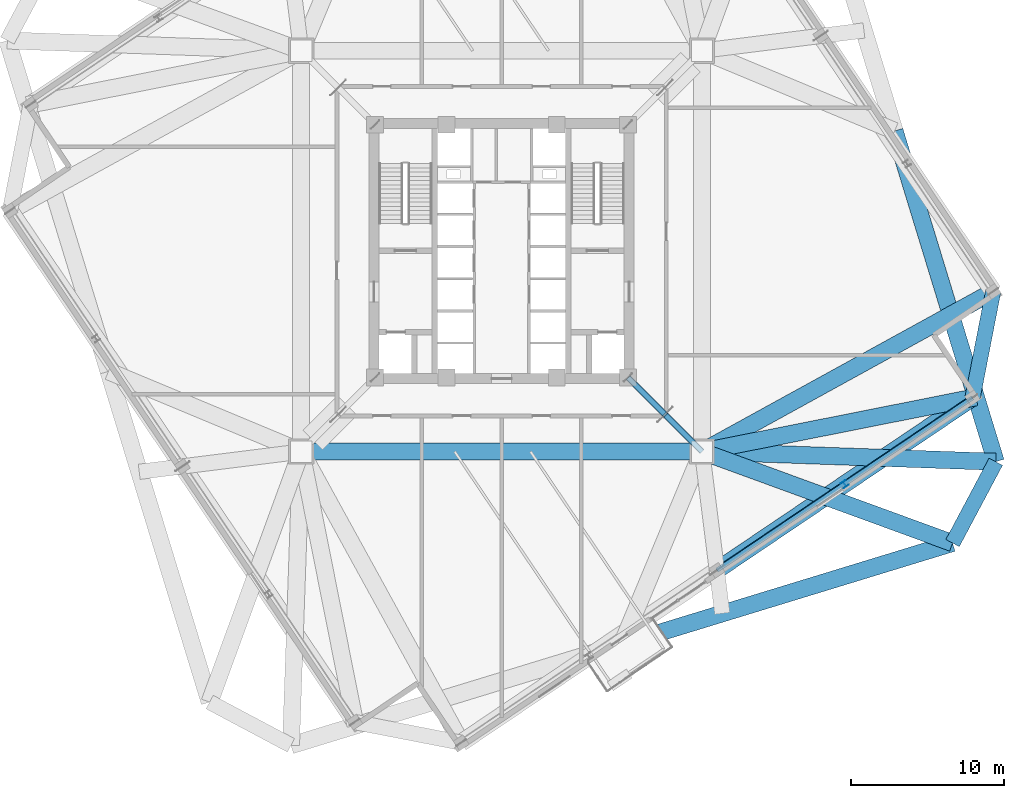
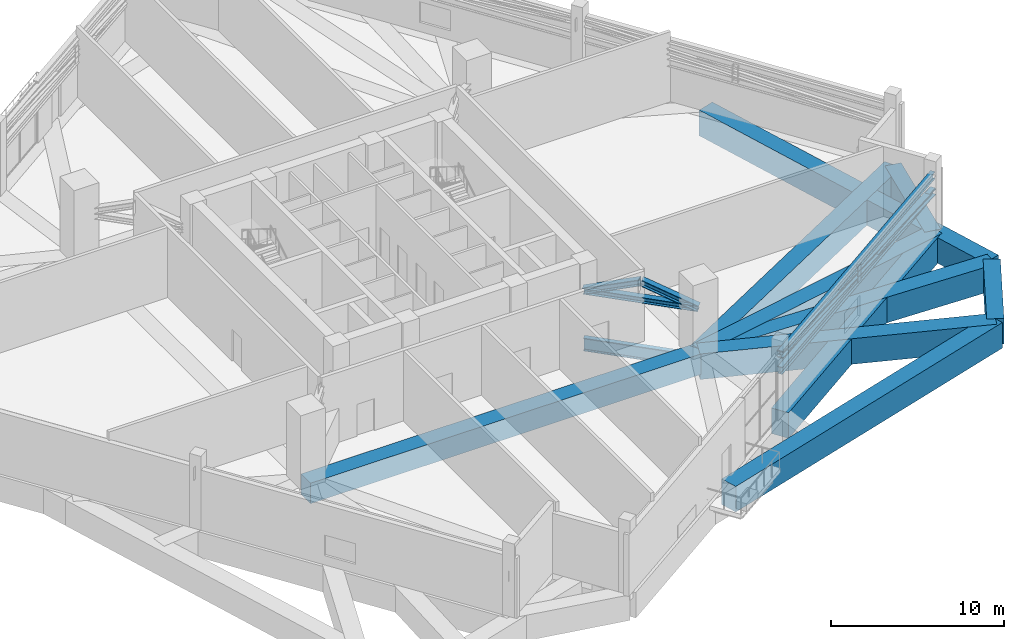
# One storey, part 4 of 21: 11 beams, 7 members.
"""IFC4 building model written with IfcOpenShell, lengths in metres."""

from ifc_helpers import new_model, si_unit, direction, frame, origin, origin_2d, place, context, subcontext, project, spatial, rectangle, i_section, extrude, source, transform, mapped, material, material_profile, profile_set, type_object, element, save


model = new_model("IFC4")

# Units and contexts
model_context = context("Model", 3, precision=1e-05, world=origin(), true_north=direction((0.0, 1.0)))
body_context = subcontext(model_context, "Body", "Model", "MODEL_VIEW")
ifc_project = project(units=[si_unit("LENGTHUNIT", "METRE"), si_unit("AREAUNIT", "SQUARE_METRE"), si_unit("VOLUMEUNIT", "CUBIC_METRE"), si_unit("PLANEANGLEUNIT", "RADIAN"), si_unit("MASSUNIT", "GRAM", prefix="KILO"), si_unit("THERMODYNAMICTEMPERATUREUNIT", "KELVIN")], contexts=[model_context])

# Site, building, storey
site_placement = place(None, origin())
site = spatial("IfcSite", under=ifc_project, at=site_placement, CompositionType="ELEMENT")
building_placement = place(site_placement, origin())
building = spatial("IfcBuilding", under=site, at=building_placement, Name="Kosmvard Interchange Tower", CompositionType="ELEMENT")
storey_placement = place(building_placement, frame((0.0, 0.0, 139.199951171875)))
storey = spatial("IfcBuildingStorey", under=building, at=storey_placement, Name="L33", CompositionType="ELEMENT", Elevation=139.199951171875)

# Beams
ifc_material_1 = material(Name="Steel S460", Category="steel")
ifc_material_profile_1 = material_profile(ifc_material_1, i_section(OverallWidth=0.30810546875, OverallDepth=0.909912109375, WebThickness=0.02099609375, FlangeThickness=0.0400390625, FilletRadius=0.027099609375, at=origin_2d()), Name="HEM 900")
ifc_profile_set_1 = profile_set([ifc_material_profile_1], Name="Steel S460")
beam_type_1 = type_object("IfcBeamType", Name="Primary Mega-Frame Girder HEM 900 S460", PredefinedType="BEAM", material=ifc_profile_set_1)
shared_shape_1 = source(origin(), body_context, "Body", "SweptSolid", [
    extrude(i_section(OverallWidth=0.30810546875, OverallDepth=0.909912109375, WebThickness=0.02099609375, FlangeThickness=0.0400390625, FilletRadius=0.027099609375, at=origin_2d()), origin(), (0.0, 0.0, 1.0), 6.83203125),
])
beam_1_placement = place(storey_placement, frame((8.25, -8.25, -0.85498046875), z_axis=(0.707106781187, -0.707106781187, 0.0), x_axis=(0.707106781187, 0.707106781187, 0.0)))
element("IfcBeam", 1, at=beam_1_placement, inside=storey, type_object=beam_type_1, Name="L33 Radial Mega-Frame Girder 2", PredefinedType="BEAM", context=body_context, shape_type="MappedRepresentation", body=[
    mapped(shared_shape_1, transform((0.0, 0.0, 0.0), scale=1.0)),
])
ifc_material_2 = material(Name="Concrete C70/85", Category="concrete")
ifc_material_profile_2 = material_profile(ifc_material_2, rectangle(XDim=1.10009765625, YDim=1.43994140625, at=origin_2d()), Name="TG 1100x1440")
ifc_profile_set_2 = profile_set([ifc_material_profile_2], Name="Concrete C70/85")
beam_type_2 = type_object("IfcBeamType", Name="Mega-Frame Transfer Ring Girder 1100x1440 C70/85", PredefinedType="USERDEFINED", material=ifc_profile_set_2)
shared_shape_2 = source(origin(), body_context, "Body", "SweptSolid", [
    extrude(rectangle(XDim=1.10009765625, YDim=1.43994140625, at=origin_2d()), origin(), (0.0, 0.0, 1.0), 26.162109375),
])
beam_2_placement = place(storey_placement, frame((-13.0810546875, -13.0810546875, -0.719970703125), z_axis=(1.0, 0.0, 0.0), x_axis=(0.0, 1.0, 0.0)))
element("IfcBeam", 2, at=beam_2_placement, inside=storey, type_object=beam_type_2, Name="L33 Mega-Column Ring Girder 1", ObjectType="TRANSFER_GIRDER", PredefinedType="USERDEFINED", context=body_context, shape_type="MappedRepresentation", body=[
    mapped(shared_shape_2, transform((0.0, 0.0, 0.0), scale=1.0)),
])
ifc_material_3 = material(Name="Concrete C60/75", Category="concrete")
ifc_material_profile_3 = material_profile(ifc_material_3, rectangle(XDim=1.1201171875, YDim=1.800048828125, at=origin_2d()), Name="TG 1120x1800")
ifc_profile_set_3 = profile_set([ifc_material_profile_3], Name="Concrete C60/75")
beam_type_3 = type_object("IfcBeamType", Name="Zone Long-Span Transfer Girder 1120x1800 C60/75", PredefinedType="USERDEFINED", material=ifc_profile_set_3)
shared_shape_3 = source(origin(), body_context, "Body", "SweptSolid", [
    extrude(rectangle(XDim=1.1201171875, YDim=1.800048828125, at=origin_2d()), origin(), (0.0, 0.0, 1.0), 19.18359375),
])
beam_3_placement = place(storey_placement, frame((13.0810546875, -13.0810546875, -0.89990234375), z_axis=(0.999399801397, -0.034641549738, 0.0), x_axis=(0.034641549738, 0.999399801397, 0.0)))
element("IfcBeam", 3, at=beam_3_placement, inside=storey, type_object=beam_type_3, Name="BM-L33-LD04", ObjectType="TRANSFER_GIRDER", PredefinedType="USERDEFINED", context=body_context, shape_type="MappedRepresentation", body=[
    mapped(shared_shape_3, transform((0.0, 0.0, 0.0), scale=1.0)),
])
shared_shape_4 = source(origin(), body_context, "Body", "SweptSolid", [
    extrude(rectangle(XDim=1.1201171875, YDim=1.800048828125, at=origin_2d()), origin(), (0.0, 0.0, 1.0), 22.57470703125),
])
beam_4_placement = place(storey_placement, frame((32.253173828125, -13.74560546875, -0.89990234375), z_axis=(-0.292376241995, 0.956303368768, 0.0), x_axis=(-0.956303368768, -0.292376241995, 0.0)))
element("IfcBeam", 4, at=beam_4_placement, inside=storey, type_object=beam_type_3, Name="BM-L33-LR04", ObjectType="TRANSFER_GIRDER", PredefinedType="USERDEFINED", context=body_context, shape_type="MappedRepresentation", body=[
    mapped(shared_shape_4, transform((0.0, 0.0, 0.0), scale=1.0)),
])
shared_shape_5 = source(origin(), body_context, "Body", "SweptSolid", [
    extrude(rectangle(XDim=1.1201171875, YDim=1.800048828125, at=origin_2d()), origin(), (0.0, 0.0, 1.0), 22.574951171875),
])
beam_5_placement = place(storey_placement, frame((7.8427734375, -25.65283203125, -0.89990234375), z_axis=(0.956304293239, 0.292373218222, 0.0), x_axis=(-0.292373218222, 0.956304293239, 0.0)))
element("IfcBeam", 5, at=beam_5_placement, inside=storey, type_object=beam_type_3, Name="BM-L33-LR02", ObjectType="TRANSFER_GIRDER", PredefinedType="USERDEFINED", context=body_context, shape_type="MappedRepresentation", body=[
    mapped(shared_shape_5, transform((0.0, 0.0, 0.0), scale=1.0)),
])
shared_shape_6 = source(origin(), body_context, "Body", "SweptSolid", [
    extrude(rectangle(XDim=1.1201171875, YDim=1.800048828125, at=origin_2d()), origin(), (0.0, 0.0, 1.0), 17.40673828125),
])
beam_6_placement = place(storey_placement, frame((13.0810546875, -13.0810546875, -0.89990234375), z_axis=(0.939315429031, -0.343054696491, 0.0), x_axis=(0.343054696491, 0.939315429031, 0.0)))
element("IfcBeam", 6, at=beam_6_placement, inside=storey, type_object=beam_type_3, Name="BM-L33-LD03", ObjectType="TRANSFER_GIRDER", PredefinedType="USERDEFINED", context=body_context, shape_type="MappedRepresentation", body=[
    mapped(shared_shape_6, transform((0.0, 0.0, 0.0), scale=1.0)),
])
ifc_material_profile_4 = material_profile(ifc_material_3, rectangle(XDim=1.0, YDim=1.800048828125, at=origin_2d()), Name="TG 1000x1800")
ifc_profile_set_4 = profile_set([ifc_material_profile_4], Name="Concrete C60/75")
beam_type_4 = type_object("IfcBeamType", Name="Zone Transfer Ring Girder 1000x1800 C60/75", PredefinedType="USERDEFINED", material=ifc_profile_set_4)
shared_shape_7 = source(origin(), body_context, "Body", "SweptSolid", [
    extrude(rectangle(XDim=1.0, YDim=1.800048828125, at=origin_2d()), origin(), (0.0, 0.0, 1.0), 6.010498046875),
])
beam_7_placement = place(storey_placement, frame((29.431396484375, -19.052490234375, -0.89990234375), z_axis=(0.469478912111, 0.882943685114, 0.0), x_axis=(-0.882943685114, 0.469478912111, 0.0)))
element("IfcBeam", 7, at=beam_7_placement, inside=storey, type_object=beam_type_4, Name="BM-L33-LR03", ObjectType="TRANSFER_GIRDER", PredefinedType="USERDEFINED", context=body_context, shape_type="MappedRepresentation", body=[
    mapped(shared_shape_7, transform((0.0, 0.0, 0.0), scale=1.0)),
])

# Members
ifc_material_profile_5 = material_profile(ifc_material_1, i_section(OverallWidth=0.40087890625, OverallDepth=0.39892578125, WebThickness=0.0185546875, FlangeThickness=0.028076171875, FilletRadius=0.014892578125, at=origin_2d()), Name="HD 400x314")
ifc_profile_set_5 = profile_set([ifc_material_profile_5], Name="Steel S460")
member_type_1 = type_object("IfcMemberType", Name="Outrigger Top and Bottom Chord HD 400x314 S460", PredefinedType="CHORD", material=ifc_profile_set_5)
shared_shape_8 = source(origin(), body_context, "Body", "SweptSolid", [
    extrude(i_section(OverallWidth=0.40087890625, OverallDepth=0.39892578125, WebThickness=0.0185546875, FlangeThickness=0.028076171875, FilletRadius=0.014892578125, at=origin_2d()), origin(), (0.0, 0.0, 1.0), 6.83203125),
])
member_1_placement = place(storey_placement, frame((8.25, -8.25, 2.920166015625), z_axis=(0.707106781187, -0.707106781187, 0.0), x_axis=(0.707106781187, 0.707106781187, 0.0)))
element("IfcMember", 8, at=member_1_placement, inside=storey, type_object=member_type_1, Name="L33 Outrigger Bottom Chord 2", PredefinedType="CHORD", context=body_context, shape_type="MappedRepresentation", body=[
    mapped(shared_shape_8, transform((0.0, 0.0, 0.0), scale=1.0)),
])
ifc_material_profile_6 = material_profile(ifc_material_1, i_section(OverallWidth=0.3759765625, OverallDepth=0.386962890625, WebThickness=0.01953125, FlangeThickness=0.031982421875, FilletRadius=0.014892578125, at=origin_2d()), Name="HD 360x329")
ifc_profile_set_6 = profile_set([ifc_material_profile_6], Name="Steel S460")
member_type_2 = type_object("IfcMemberType", Name="Belt Truss Vertical Post HD 360x329 S460", PredefinedType="STUD", material=ifc_profile_set_6)
shared_shape_9 = source(origin(), body_context, "Body", "SweptSolid", [
    extrude(i_section(OverallWidth=0.3759765625, OverallDepth=0.386962890625, WebThickness=0.01953125, FlangeThickness=0.031982421875, FilletRadius=0.014892578125, at=origin_2d()), origin(), (0.0, 0.0, 1.0), 1.139892578125),
])
member_2_placement = place(storey_placement, frame((22.391845703125, -15.20263671875, 2.820068359375), z_axis=(0.0, 0.0, 1.0), x_axis=(0.829037572555, 0.559192903471, 0.0)))
element("IfcMember", 9, at=member_2_placement, inside=storey, type_object=member_type_2, Name="L33 Belt Truss Post S2", PredefinedType="STUD", context=body_context, shape_type="MappedRepresentation", body=[
    mapped(shared_shape_9, transform((0.0, 0.0, 0.0), scale=1.0)),
])

# Beams
shared_shape_10 = source(origin(), body_context, "Body", "SweptSolid", [
    extrude(rectangle(XDim=1.1201171875, YDim=1.800048828125, at=origin_2d()), origin(), (0.0, 0.0, 1.0), 21.684326171875),
])
beam_8_placement = place(storey_placement, frame((13.0810546875, -13.0810546875, -0.89990234375), z_axis=(0.876311689012, 0.48174456271, 0.0), x_axis=(-0.48174456271, 0.876311689012, 0.0)))
element("IfcBeam", 10, at=beam_8_placement, inside=storey, type_object=beam_type_3, Name="BM-L33-RD04", ObjectType="TRANSFER_GIRDER", PredefinedType="USERDEFINED", context=body_context, shape_type="MappedRepresentation", body=[
    mapped(shared_shape_10, transform((0.0, 0.0, 0.0), scale=1.0)),
])
shared_shape_11 = source(origin(), body_context, "Body", "SweptSolid", [
    extrude(rectangle(XDim=1.1201171875, YDim=1.800048828125, at=origin_2d()), origin(), (0.0, 0.0, 1.0), 20.125),
])
beam_9_placement = place(storey_placement, frame((14.0498046875, -20.82958984375, -0.89990234375), z_axis=(0.829038908426, 0.559190922956, 0.0), x_axis=(-0.559190922956, 0.829038908426, 0.0)))
element("IfcBeam", 11, at=beam_9_placement, inside=storey, type_object=beam_type_3, Name="BM-L33-PR02", ObjectType="TRANSFER_GIRDER", PredefinedType="USERDEFINED", context=body_context, shape_type="MappedRepresentation", body=[
    mapped(shared_shape_11, transform((0.0, 0.0, 0.0), scale=1.0)),
])
shared_shape_12 = source(origin(), body_context, "Body", "SweptSolid", [
    extrude(rectangle(XDim=1.1201171875, YDim=1.800048828125, at=origin_2d()), origin(), (0.0, 0.0, 1.0), 18.232421875),
])
beam_10_placement = place(storey_placement, frame((13.0810546875, -13.0810546875, -0.89990234375), z_axis=(0.980850127743, 0.194764028779, 0.0), x_axis=(-0.194764028779, 0.980850127743, 0.0)))
element("IfcBeam", 12, at=beam_10_placement, inside=storey, type_object=beam_type_3, Name="BM-L33-RD03", ObjectType="TRANSFER_GIRDER", PredefinedType="USERDEFINED", context=body_context, shape_type="MappedRepresentation", body=[
    mapped(shared_shape_12, transform((0.0, 0.0, 0.0), scale=1.0)),
])
shared_shape_13 = source(origin(), body_context, "Body", "SweptSolid", [
    extrude(rectangle(XDim=1.0, YDim=1.800048828125, at=origin_2d()), origin(), (0.0, 0.0, 1.0), 7.071044921875),
])
beam_11_placement = place(storey_placement, frame((30.734130859375, -9.575927734375, -0.89990234375), z_axis=(0.190794803533, 0.981629941956, 0.0), x_axis=(-0.981629941956, 0.190794803533, 0.0)))
element("IfcBeam", 13, at=beam_11_placement, inside=storey, type_object=beam_type_4, Name="BM-L33-PR03", ObjectType="TRANSFER_GIRDER", PredefinedType="USERDEFINED", context=body_context, shape_type="MappedRepresentation", body=[
    mapped(shared_shape_13, transform((0.0, 0.0, 0.0), scale=1.0)),
])

# Members
ifc_material_profile_7 = material_profile(ifc_material_1, i_section(OverallWidth=0.408935546875, OverallDepth=0.425048828125, WebThickness=0.02392578125, FlangeThickness=0.0390625, FilletRadius=0.014892578125, at=origin_2d()), Name="HD 400x421")
ifc_profile_set_7 = profile_set([ifc_material_profile_7], Name="Steel S460")
member_type_3 = type_object("IfcMemberType", Name="Radial Outrigger Diagonal HD 400x421 S460", PredefinedType="BRACE", material=ifc_profile_set_7)
shared_shape_14 = source(origin(), body_context, "Body", "SweptSolid", [
    extrude(i_section(OverallWidth=0.408935546875, OverallDepth=0.425048828125, WebThickness=0.02392578125, FlangeThickness=0.0390625, FilletRadius=0.014892578125, at=origin_2d()), origin(), (0.0, 0.0, 1.0), 3.62744140625),
])
for number, where, z_axis, x_axis, name in (
    (14, (8.25, -8.25, 2.920166015625), (0.665915478014, -0.665915478014, 0.336322988037), (0.707106781187, 0.707106781187, 0.0), "L33 Outrigger Diagonal 2A"),
    (15, (10.66552734375, -10.66552734375, 4.14013671875), (0.665915478014, -0.665915478014, -0.336322988037), (0.707106781187, 0.707106781187, 0.0), "L33 Outrigger Diagonal 2B"),
):
    element("IfcMember", number, at=place(storey_placement, frame(where, z_axis=z_axis, x_axis=x_axis)), inside=storey, type_object=member_type_3, Name=name, PredefinedType="BRACE", context=body_context, shape_type="MappedRepresentation", body=[
        mapped(shared_shape_14, transform((0.0, 0.0, 0.0), scale=1.0)),
    ])
ifc_material_profile_8 = material_profile(ifc_material_1, i_section(OverallWidth=0.300048828125, OverallDepth=0.5, WebThickness=0.014404296875, FlangeThickness=0.028076171875, FilletRadius=0.027099609375, at=origin_2d()), Name="HEB 500")
ifc_profile_set_8 = profile_set([ifc_material_profile_8], Name="Steel S460")
member_type_4 = type_object("IfcMemberType", Name="Belt Truss Chord HEB 500 S460", PredefinedType="CHORD", material=ifc_profile_set_8)
shared_shape_15 = source(origin(), body_context, "Body", "SweptSolid", [
    extrude(i_section(OverallWidth=0.300048828125, OverallDepth=0.5, WebThickness=0.014404296875, FlangeThickness=0.028076171875, FilletRadius=0.027099609375, at=origin_2d()), origin(), (0.0, 0.0, 1.0), 20.125),
])
for number, where, z_axis, x_axis, name in (
    (16, (14.0498046875, -20.82958984375, 2.820068359375), (0.829038908426, 0.559190922956, 0.0), (-0.559190922956, 0.829038908426, 0.0), "L33 Belt Truss Bottom Chord S2"),
    (17, (14.0498046875, -20.82958984375, 3.9599609375), (0.829038908426, 0.559190922956, 0.0), (-0.559190922956, 0.829038908426, 0.0), "L33 Belt Truss Top Chord S2"),
):
    element("IfcMember", number, at=place(storey_placement, frame(where, z_axis=z_axis, x_axis=x_axis)), inside=storey, type_object=member_type_4, Name=name, PredefinedType="CHORD", context=body_context, shape_type="MappedRepresentation", body=[
        mapped(shared_shape_15, transform((0.0, 0.0, 0.0), scale=1.0)),
    ])
ifc_material_profile_9 = material_profile(ifc_material_1, i_section(OverallWidth=0.406005859375, OverallDepth=0.416015625, WebThickness=0.021484375, FlangeThickness=0.034912109375, FilletRadius=0.014892578125, at=origin_2d()), Name="HD 400x382")
ifc_profile_set_9 = profile_set([ifc_material_profile_9], Name="Steel S460")
member_type_5 = type_object("IfcMemberType", Name="Perimeter Belt Truss Diagonal HD 400x382 S460", PredefinedType="BRACE", material=ifc_profile_set_9)
shared_shape_16 = source(origin(), body_context, "Body", "SweptSolid", [
    extrude(i_section(OverallWidth=0.406005859375, OverallDepth=0.416015625, WebThickness=0.021484375, FlangeThickness=0.034912109375, FilletRadius=0.014892578125, at=origin_2d()), origin(), (0.0, 0.0, 1.0), 20.1572265625),
])
member_3_placement = place(storey_placement, frame((30.734130859375, -9.575927734375, 2.820068359375), z_axis=(-0.827712241777, -0.558296079613, 0.056550263493), x_axis=(0.559190922956, -0.829038908426, 0.0)))
element("IfcMember", 18, at=member_3_placement, inside=storey, type_object=member_type_5, Name="L33 Belt Truss Diagonal S2", PredefinedType="BRACE", context=body_context, shape_type="MappedRepresentation", body=[
    mapped(shared_shape_16, transform((0.0, 0.0, 0.0), scale=1.0)),
])

save(model, "model.ifc")
